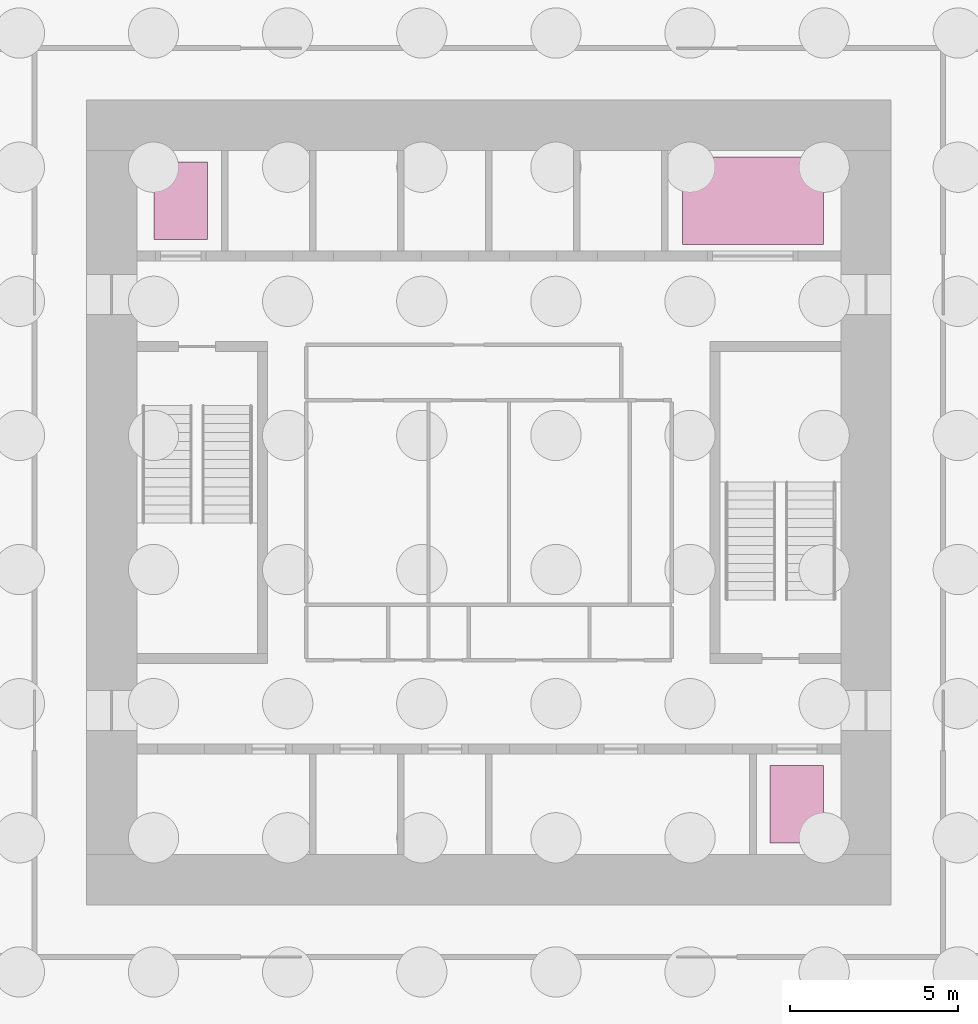
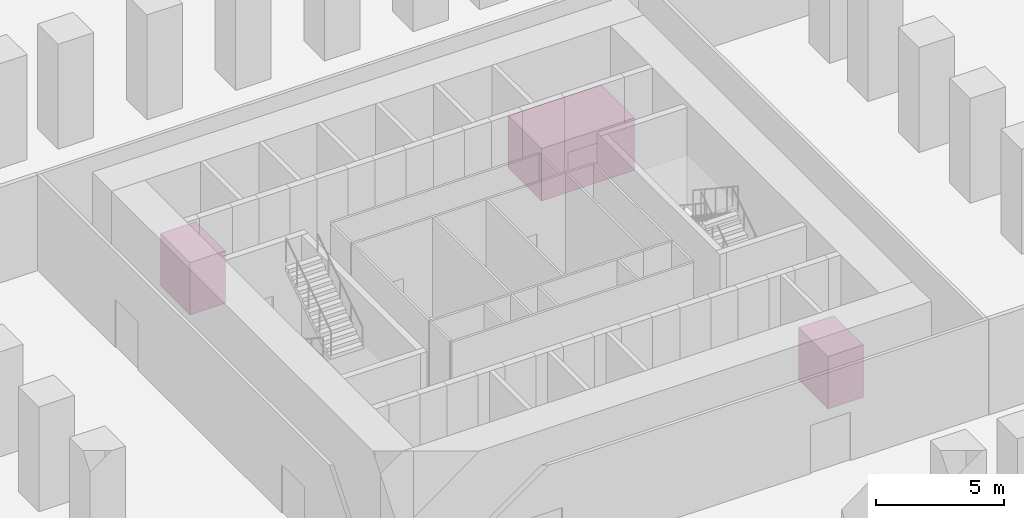
# One storey, part 8 of 8: 3 transport elements.
"""IFC4 building model written with IfcOpenShell, lengths in metres."""

from ifc_helpers import new_model, si_unit, direction, frame, origin, origin_with_axes, origin_2d, place, context, subcontext, project, spatial, rectangle, extrude, material, type_object, element, save


model = new_model("IFC4")

# Units and contexts
model_context = context("Model", 3, precision=1e-05, world=origin(), true_north=direction((0.0, 1.0)))
body_context = subcontext(model_context, "Body", "Model", "MODEL_VIEW")
ifc_project = project(units=[si_unit("LENGTHUNIT", "METRE"), si_unit("AREAUNIT", "SQUARE_METRE"), si_unit("VOLUMEUNIT", "CUBIC_METRE"), si_unit("PLANEANGLEUNIT", "RADIAN"), si_unit("MASSUNIT", "GRAM", prefix="KILO")], contexts=[model_context])

# Site, building, storey
site_placement = place(None, origin())
site = spatial("IfcSite", under=ifc_project, at=site_placement, CompositionType="ELEMENT")
building_placement = place(site_placement, origin())
building = spatial("IfcBuilding", under=site, at=building_placement, Name="Peilmerk Tower", CompositionType="ELEMENT")
storey_placement = place(building_placement, frame((0.0, 0.0, -5.0)))
storey = spatial("IfcBuildingStorey", under=building, at=storey_placement, Name="B-01", CompositionType="ELEMENT", Elevation=-5.0)

# Transport elements
ifc_material = material(Name="Steel lift car, stainless steel lining", Category="steel")
transport_element_type_1 = type_object("IfcTransportElementType", Name="LDFL 1600 kg firefighting lift, car 1600x2300", PredefinedType="ELEVATOR", material=ifc_material)
for number, where, z_axis, x_axis, name in (
    (1, (-9.1875, 9.0, 0.0), (0.0, 0.0, 1.0), (1.0, 0.0, 0.0), "Lift FL1"),
    (2, (9.1875, -9.0, 0.0), (0.0, 0.0, 1.0), (1.0, 0.0, 0.0), "Lift FL2"),
):
    element("IfcTransportElement", number, at=place(storey_placement, frame(where, z_axis=z_axis, x_axis=x_axis)), inside=storey, type_object=transport_element_type_1, Name=name, PredefinedType="ELEVATOR", context=body_context, shape_type="SweptSolid", body=[
        extrude(rectangle(XDim=1.60009765625, YDim=2.300048828125, at=origin_2d()), origin_with_axes(), (0.0, 0.0, 1.0), 2.5),
    ])
transport_element_type_2 = type_object("IfcTransportElementType", Name="LDGL 5000 kg goods lift, car 4200x2600", PredefinedType="ELEVATOR", material=ifc_material)
transport_element_placement = place(storey_placement, frame((7.875, 9.0, 0.0), z_axis=(0.0, 0.0, 1.0), x_axis=(1.0, 0.0, 0.0)))
element("IfcTransportElement", 3, at=transport_element_placement, inside=storey, type_object=transport_element_type_2, Name="Lift GL1", PredefinedType="ELEVATOR", context=body_context, shape_type="SweptSolid", body=[
    extrude(rectangle(XDim=4.199951171875, YDim=2.60009765625, at=origin_2d()), origin_with_axes(), (0.0, 0.0, 1.0), 2.5),
])

save(model, "model.ifc")
